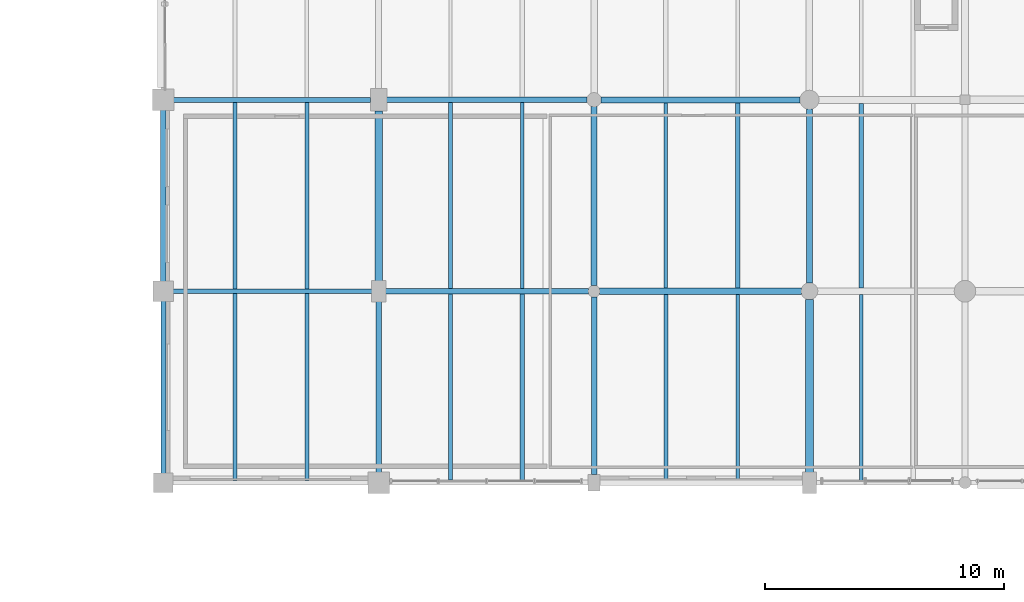
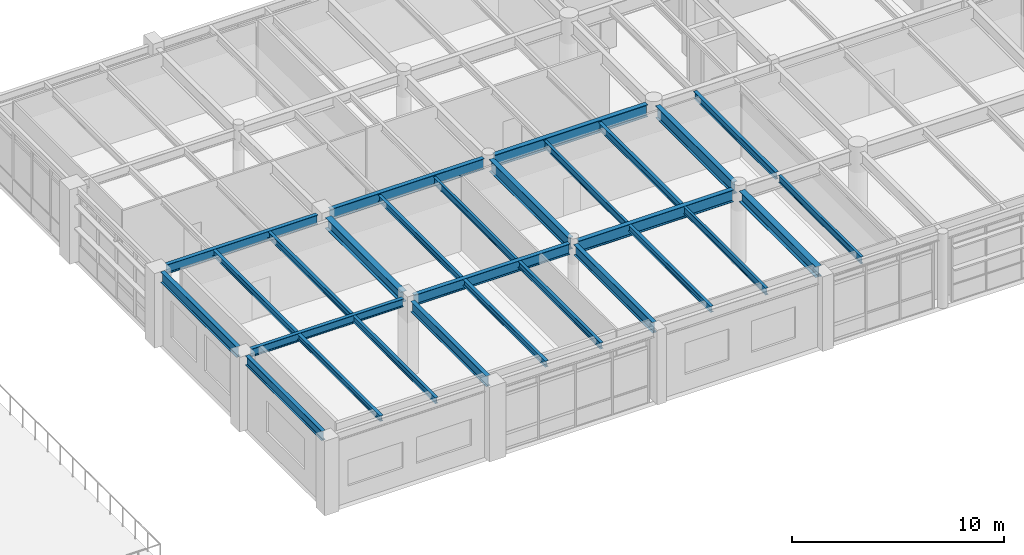
# One storey, part 86 of 168: 28 beams.
"""IFC4 building model written with IfcOpenShell, lengths in metres."""

from ifc_helpers import new_model, si_unit, direction, frame, origin, origin_2d, place, context, subcontext, project, spatial, i_section, extrude, material, material_profile, profile_set, type_object, element, save


model = new_model("IFC4")

# Units and contexts
model_context = context("Model", 3, precision=1e-05, world=origin(), true_north=direction((0.0, 1.0)))
body_context = subcontext(model_context, "Body", "Model", "MODEL_VIEW")
ifc_project = project(units=[si_unit("LENGTHUNIT", "METRE"), si_unit("AREAUNIT", "SQUARE_METRE"), si_unit("VOLUMEUNIT", "CUBIC_METRE"), si_unit("PLANEANGLEUNIT", "RADIAN"), si_unit("MASSUNIT", "GRAM", prefix="KILO"), si_unit("THERMODYNAMICTEMPERATUREUNIT", "KELVIN"), si_unit("POWERUNIT", "WATT")], contexts=[model_context])

# Site, building, storey
site_placement = place(None, origin())
site = spatial("IfcSite", under=ifc_project, at=site_placement, CompositionType="ELEMENT")
building_placement = place(site_placement, origin())
building = spatial("IfcBuilding", under=site, at=building_placement, Name="Tepalcoro Natatorium and Aquatics Centre", CompositionType="ELEMENT")
storey_placement = place(building_placement, frame((0.0, 0.0, 10.199951171875)))
storey = spatial("IfcBuildingStorey", under=building, at=storey_placement, Name="L02", CompositionType="ELEMENT", Elevation=10.199951171875)

# Beams
ifc_material = material(Name="Steel ASTM A992 Grade 50 (Fy 345 MPa)", Category="steel")
ifc_material_profile_1 = material_profile(ifc_material, i_section(OverallWidth=0.193115234375, OverallDepth=0.467041015625, WebThickness=0.010986328125, FlangeThickness=0.01904296875, FilletRadius=0.013916015625, at=origin_2d()), Name="W18X65")
ifc_profile_set_1 = profile_set([ifc_material_profile_1], Name="Steel ASTM A992 Grade 50 (Fy 345 MPa)")
beam_type_1 = type_object("IfcBeamType", Name="BM_W18x65", PredefinedType="BEAM", material=ifc_profile_set_1)
beam_1_placement = place(storey_placement, frame((98.409912109375, 94.0, 4.051513671875), z_axis=(1.0, 0.0, 0.0), x_axis=(0.0, 1.0, 0.0)))
element("IfcBeam", 1, at=beam_1_placement, inside=storey, type_object=beam_type_1, Name="V5 L02 Grid Girder X", PredefinedType="BEAM", context=body_context, shape_type="SweptSolid", body=[
    extrude(i_section(OverallWidth=0.193115234375, OverallDepth=0.467041015625, WebThickness=0.010986328125, FlangeThickness=0.01904296875, FilletRadius=0.013916015625, at=origin_2d()), origin(), (0.0, 0.0, 1.0), 8.30517578125),
])
ifc_material_profile_2 = material_profile(ifc_material, i_section(OverallWidth=0.2099609375, OverallDepth=0.532958984375, WebThickness=0.010009765625, FlangeThickness=0.01611328125, FilletRadius=0.013916015625, at=origin_2d()), Name="W21X62")
ifc_profile_set_2 = profile_set([ifc_material_profile_2], Name="Steel ASTM A992 Grade 50 (Fy 345 MPa)")
beam_type_2 = type_object("IfcBeamType", Name="BM_W21x62", PredefinedType="BEAM", material=ifc_profile_set_2)
beam_2_placement = place(storey_placement, frame((98.43505859375, 102.0, 4.0185546875), z_axis=(1.0, 0.0, 0.0), x_axis=(0.0, 1.0, 0.0)))
element("IfcBeam", 2, at=beam_2_placement, inside=storey, type_object=beam_type_2, Name="V5 L02 Grid Girder X", PredefinedType="BEAM", context=body_context, shape_type="SweptSolid", body=[
    extrude(i_section(OverallWidth=0.2099609375, OverallDepth=0.532958984375, WebThickness=0.010009765625, FlangeThickness=0.01611328125, FilletRadius=0.013916015625, at=origin_2d()), origin(), (0.0, 0.0, 1.0), 8.22998046875),
])
ifc_material_profile_3 = material_profile(ifc_material, i_section(OverallWidth=0.324951171875, OverallDepth=0.616943359375, WebThickness=0.013916015625, FlangeThickness=0.02197265625, FilletRadius=0.013916015625, at=origin_2d()), Name="W24X117")
ifc_profile_set_3 = profile_set([ifc_material_profile_3], Name="Steel ASTM A992 Grade 50 (Fy 345 MPa)")
beam_type_3 = type_object("IfcBeamType", Name="BM_W24x117", PredefinedType="BEAM", material=ifc_profile_set_3)
beam_3_placement = place(storey_placement, frame((107.0, 94.43505859375, 3.9765625), z_axis=(0.0, 1.0, 0.0), x_axis=(-1.0, 0.0, 0.0)))
element("IfcBeam", 3, at=beam_3_placement, inside=storey, type_object=beam_type_3, Name="V5 L02 Grid Girder Y", PredefinedType="BEAM", context=body_context, shape_type="SweptSolid", body=[
    extrude(i_section(OverallWidth=0.324951171875, OverallDepth=0.616943359375, WebThickness=0.013916015625, FlangeThickness=0.02197265625, FilletRadius=0.013916015625, at=origin_2d()), origin(), (0.0, 0.0, 1.0), 7.10498046875),
])
beam_4_placement = place(storey_placement, frame((125.0, 86.43505859375, 3.9765625), z_axis=(0.0, 1.0, 0.0), x_axis=(-1.0, 0.0, 0.0)))
element("IfcBeam", 4, at=beam_4_placement, inside=storey, type_object=beam_type_3, Name="V5 L02 Grid Girder Y", PredefinedType="BEAM", context=body_context, shape_type="SweptSolid", body=[
    extrude(i_section(OverallWidth=0.324951171875, OverallDepth=0.616943359375, WebThickness=0.013916015625, FlangeThickness=0.02197265625, FilletRadius=0.013916015625, at=origin_2d()), origin(), (0.0, 0.0, 1.0), 7.22998046875),
])
ifc_material_profile_4 = material_profile(ifc_material, i_section(OverallWidth=0.22802734375, OverallDepth=0.60693359375, WebThickness=0.010986328125, FlangeThickness=0.01708984375, FilletRadius=0.013916015625, at=origin_2d()), Name="W24X76")
ifc_profile_set_4 = profile_set([ifc_material_profile_4], Name="Steel ASTM A992 Grade 50 (Fy 345 MPa)")
beam_type_4 = type_object("IfcBeamType", Name="BM_W24x76", PredefinedType="BEAM", material=ifc_profile_set_4)
beam_5_placement = place(storey_placement, frame((107.284912109375, 94.0, 3.9814453125), z_axis=(1.0, 0.0, 0.0), x_axis=(0.0, 1.0, 0.0)))
element("IfcBeam", 5, at=beam_5_placement, inside=storey, type_object=beam_type_4, Name="V5 L02 Grid Girder X", PredefinedType="BEAM", context=body_context, shape_type="SweptSolid", body=[
    extrude(i_section(OverallWidth=0.22802734375, OverallDepth=0.60693359375, WebThickness=0.010986328125, FlangeThickness=0.01708984375, FilletRadius=0.013916015625, at=origin_2d()), origin(), (0.0, 0.0, 1.0), 8.47998046875),
])
beam_6_placement = place(storey_placement, frame((107.0, 86.43505859375, 3.9814453125), z_axis=(0.0, 1.0, 0.0), x_axis=(-1.0, 0.0, 0.0)))
element("IfcBeam", 6, at=beam_6_placement, inside=storey, type_object=beam_type_4, Name="V5 L02 Grid Girder Y", PredefinedType="BEAM", context=body_context, shape_type="SweptSolid", body=[
    extrude(i_section(OverallWidth=0.22802734375, OverallDepth=0.60693359375, WebThickness=0.010986328125, FlangeThickness=0.01708984375, FilletRadius=0.013916015625, at=origin_2d()), origin(), (0.0, 0.0, 1.0), 7.1298828125),
])
ifc_material_profile_5 = material_profile(ifc_material, i_section(OverallWidth=0.22998046875, OverallDepth=0.616943359375, WebThickness=0.012939453125, FlangeThickness=0.02197265625, FilletRadius=0.013916015625, at=origin_2d()), Name="W24X94")
ifc_profile_set_5 = profile_set([ifc_material_profile_5], Name="Steel ASTM A992 Grade 50 (Fy 345 MPa)")
beam_type_5 = type_object("IfcBeamType", Name="BM_W24x94", PredefinedType="BEAM", material=ifc_profile_set_5)
beam_7_placement = place(storey_placement, frame((107.3349609375, 102.0, 4.056640625), z_axis=(1.0, 0.0, 0.0), x_axis=(0.0, 1.0, 0.0)))
element("IfcBeam", 7, at=beam_7_placement, inside=storey, type_object=beam_type_5, Name="V5 L02 Grid Girder X", PredefinedType="BEAM", context=body_context, shape_type="SweptSolid", body=[
    extrude(i_section(OverallWidth=0.22998046875, OverallDepth=0.616943359375, WebThickness=0.012939453125, FlangeThickness=0.02197265625, FilletRadius=0.013916015625, at=origin_2d()), origin(), (0.0, 0.0, 1.0), 8.380126953125),
])
beam_8_placement = place(storey_placement, frame((116.0, 86.3349609375, 3.9765625), z_axis=(0.0, 1.0, 0.0), x_axis=(-1.0, 0.0, 0.0)))
element("IfcBeam", 8, at=beam_8_placement, inside=storey, type_object=beam_type_5, Name="V5 L02 Grid Girder Y", PredefinedType="BEAM", context=body_context, shape_type="SweptSolid", body=[
    extrude(i_section(OverallWidth=0.22998046875, OverallDepth=0.616943359375, WebThickness=0.012939453125, FlangeThickness=0.02197265625, FilletRadius=0.013916015625, at=origin_2d()), origin(), (0.0, 0.0, 1.0), 7.429931640625),
])
ifc_material_profile_6 = material_profile(ifc_material, i_section(OverallWidth=0.25390625, OverallDepth=0.68798828125, WebThickness=0.012939453125, FlangeThickness=0.02099609375, FilletRadius=0.013916015625, at=origin_2d()), Name="W27X102")
ifc_profile_set_6 = profile_set([ifc_material_profile_6], Name="Steel ASTM A992 Grade 50 (Fy 345 MPa)")
beam_type_6 = type_object("IfcBeamType", Name="BM_W27x102", PredefinedType="BEAM", material=ifc_profile_set_6)
beam_9_placement = place(storey_placement, frame((116.235107421875, 94.0, 3.941162109375), z_axis=(1.0, 0.0, 0.0), x_axis=(0.0, 1.0, 0.0)))
element("IfcBeam", 9, at=beam_9_placement, inside=storey, type_object=beam_type_6, Name="V5 L02 Grid Girder X", PredefinedType="BEAM", context=body_context, shape_type="SweptSolid", body=[
    extrude(i_section(OverallWidth=0.25390625, OverallDepth=0.68798828125, WebThickness=0.012939453125, FlangeThickness=0.02099609375, FilletRadius=0.013916015625, at=origin_2d()), origin(), (0.0, 0.0, 1.0), 8.429931640625),
])
beam_10_placement = place(storey_placement, frame((116.0, 94.235107421875, 4.02099609375), z_axis=(0.0, 1.0, 0.0), x_axis=(-1.0, 0.0, 0.0)))
element("IfcBeam", 10, at=beam_10_placement, inside=storey, type_object=beam_type_6, Name="V5 L02 Grid Girder Y", PredefinedType="BEAM", context=body_context, shape_type="SweptSolid", body=[
    extrude(i_section(OverallWidth=0.25390625, OverallDepth=0.68798828125, WebThickness=0.012939453125, FlangeThickness=0.02099609375, FilletRadius=0.013916015625, at=origin_2d()), origin(), (0.0, 0.0, 1.0), 7.47998046875),
])
ifc_material_profile_7 = material_profile(ifc_material, i_section(OverallWidth=0.25390625, OverallDepth=0.700927734375, WebThickness=0.014892578125, FlangeThickness=0.028076171875, FilletRadius=0.013916015625, at=origin_2d()), Name="W27X129")
ifc_profile_set_7 = profile_set([ifc_material_profile_7], Name="Steel ASTM A992 Grade 50 (Fy 345 MPa)")
beam_type_7 = type_object("IfcBeamType", Name="BM_W27x129", PredefinedType="BEAM", material=ifc_profile_set_7)
beam_11_placement = place(storey_placement, frame((116.284912109375, 102.0, 4.0146484375), z_axis=(1.0, 0.0, 0.0), x_axis=(0.0, 1.0, 0.0)))
element("IfcBeam", 11, at=beam_11_placement, inside=storey, type_object=beam_type_7, Name="V5 L02 Grid Girder X", PredefinedType="BEAM", context=body_context, shape_type="SweptSolid", body=[
    extrude(i_section(OverallWidth=0.25390625, OverallDepth=0.700927734375, WebThickness=0.014892578125, FlangeThickness=0.028076171875, FilletRadius=0.013916015625, at=origin_2d()), origin(), (0.0, 0.0, 1.0), 8.330078125),
])
beam_12_placement = place(storey_placement, frame((125.0, 94.3349609375, 4.0146484375), z_axis=(0.0, 1.0, 0.0), x_axis=(-1.0, 0.0, 0.0)))
element("IfcBeam", 12, at=beam_12_placement, inside=storey, type_object=beam_type_7, Name="V5 L02 Grid Girder Y", PredefinedType="BEAM", context=body_context, shape_type="SweptSolid", body=[
    extrude(i_section(OverallWidth=0.25390625, OverallDepth=0.700927734375, WebThickness=0.014892578125, FlangeThickness=0.028076171875, FilletRadius=0.013916015625, at=origin_2d()), origin(), (0.0, 0.0, 1.0), 7.280029296875),
])
ifc_material_profile_8 = material_profile(ifc_material, i_section(OverallWidth=0.1669921875, OverallDepth=0.318115234375, WebThickness=0.008056640625, FlangeThickness=0.012939453125, FilletRadius=0.013916015625, at=origin_2d()), Name="W12X35")
ifc_profile_set_8 = profile_set([ifc_material_profile_8], Name="Steel ASTM A992 Grade 50 (Fy 345 MPa)")
beam_type_8 = type_object("IfcBeamType", Name="JS_W12x35", PredefinedType="JOIST", material=ifc_profile_set_8)
beam_13_placement = place(storey_placement, frame((101.0, 86.095458984375, 4.1259765625), z_axis=(0.0, 1.0, 0.0), x_axis=(-1.0, 0.0, 0.0)))
element("IfcBeam", 13, at=beam_13_placement, inside=storey, type_object=beam_type_8, Name="V5 L02 Floor Joist", PredefinedType="JOIST", context=body_context, shape_type="SweptSolid", body=[
    extrude(i_section(OverallWidth=0.1669921875, OverallDepth=0.318115234375, WebThickness=0.008056640625, FlangeThickness=0.012939453125, FilletRadius=0.013916015625, at=origin_2d()), origin(), (0.0, 0.0, 1.0), 7.80810546875),
])
ifc_material_profile_9 = material_profile(ifc_material, i_section(OverallWidth=0.1708984375, OverallDepth=0.35107421875, WebThickness=0.007080078125, FlangeThickness=0.010009765625, FilletRadius=0.013916015625, at=origin_2d()), Name="W14X30")
ifc_profile_set_9 = profile_set([ifc_material_profile_9], Name="Steel ASTM A992 Grade 50 (Fy 345 MPa)")
beam_type_9 = type_object("IfcBeamType", Name="JS_W14x30", PredefinedType="JOIST", material=ifc_profile_set_9)
beam_14_placement = place(storey_placement, frame((104.0, 86.095458984375, 4.109619140625), z_axis=(0.0, 1.0, 0.0), x_axis=(-1.0, 0.0, 0.0)))
element("IfcBeam", 14, at=beam_14_placement, inside=storey, type_object=beam_type_9, Name="V5 L02 Floor Joist", PredefinedType="JOIST", context=body_context, shape_type="SweptSolid", body=[
    extrude(i_section(OverallWidth=0.1708984375, OverallDepth=0.35107421875, WebThickness=0.007080078125, FlangeThickness=0.010009765625, FilletRadius=0.013916015625, at=origin_2d()), origin(), (0.0, 0.0, 1.0), 7.80810546875),
])
beam_15_placement = place(storey_placement, frame((101.0, 94.096435546875, 4.109619140625), z_axis=(0.0, 1.0, 0.0), x_axis=(-1.0, 0.0, 0.0)))
element("IfcBeam", 15, at=beam_15_placement, inside=storey, type_object=beam_type_9, Name="V5 L02 Floor Joist", PredefinedType="JOIST", context=body_context, shape_type="SweptSolid", body=[
    extrude(i_section(OverallWidth=0.1708984375, OverallDepth=0.35107421875, WebThickness=0.007080078125, FlangeThickness=0.010009765625, FilletRadius=0.013916015625, at=origin_2d()), origin(), (0.0, 0.0, 1.0), 7.798583984375),
])
beam_16_placement = place(storey_placement, frame((110.0, 86.10498046875, 4.109619140625), z_axis=(0.0, 1.0, 0.0), x_axis=(-1.0, 0.0, 0.0)))
element("IfcBeam", 16, at=beam_16_placement, inside=storey, type_object=beam_type_9, Name="V5 L02 Floor Joist", PredefinedType="JOIST", context=body_context, shape_type="SweptSolid", body=[
    extrude(i_section(OverallWidth=0.1708984375, OverallDepth=0.35107421875, WebThickness=0.007080078125, FlangeThickness=0.010009765625, FilletRadius=0.013916015625, at=origin_2d()), origin(), (0.0, 0.0, 1.0), 7.781005859375),
])
ifc_material_profile_10 = material_profile(ifc_material, i_section(OverallWidth=0.172119140625, OverallDepth=0.35791015625, WebThickness=0.008056640625, FlangeThickness=0.012939453125, FilletRadius=0.013916015625, at=origin_2d()), Name="W14X38")
ifc_profile_set_10 = profile_set([ifc_material_profile_10], Name="Steel ASTM A992 Grade 50 (Fy 345 MPa)")
beam_type_10 = type_object("IfcBeamType", Name="JS_W14x38", PredefinedType="JOIST", material=ifc_profile_set_10)
beam_17_placement = place(storey_placement, frame((104.0, 94.096435546875, 4.10595703125), z_axis=(0.0, 1.0, 0.0), x_axis=(-1.0, 0.0, 0.0)))
element("IfcBeam", 17, at=beam_17_placement, inside=storey, type_object=beam_type_10, Name="V5 L02 Floor Joist", PredefinedType="JOIST", context=body_context, shape_type="SweptSolid", body=[
    extrude(i_section(OverallWidth=0.172119140625, OverallDepth=0.35791015625, WebThickness=0.008056640625, FlangeThickness=0.012939453125, FilletRadius=0.013916015625, at=origin_2d()), origin(), (0.0, 0.0, 1.0), 7.798583984375),
])
beam_18_placement = place(storey_placement, frame((113.0, 86.10498046875, 4.10595703125), z_axis=(0.0, 1.0, 0.0), x_axis=(-1.0, 0.0, 0.0)))
element("IfcBeam", 18, at=beam_18_placement, inside=storey, type_object=beam_type_10, Name="V5 L02 Floor Joist", PredefinedType="JOIST", context=body_context, shape_type="SweptSolid", body=[
    extrude(i_section(OverallWidth=0.172119140625, OverallDepth=0.35791015625, WebThickness=0.008056640625, FlangeThickness=0.012939453125, FilletRadius=0.013916015625, at=origin_2d()), origin(), (0.0, 0.0, 1.0), 7.781005859375),
])
beam_19_placement = place(storey_placement, frame((110.0, 94.114013671875, 4.10595703125), z_axis=(0.0, 1.0, 0.0), x_axis=(-1.0, 0.0, 0.0)))
element("IfcBeam", 19, at=beam_19_placement, inside=storey, type_object=beam_type_10, Name="V5 L02 Floor Joist", PredefinedType="JOIST", context=body_context, shape_type="SweptSolid", body=[
    extrude(i_section(OverallWidth=0.172119140625, OverallDepth=0.35791015625, WebThickness=0.008056640625, FlangeThickness=0.012939453125, FilletRadius=0.013916015625, at=origin_2d()), origin(), (0.0, 0.0, 1.0), 7.77099609375),
])
beam_20_placement = place(storey_placement, frame((119.0, 86.114501953125, 4.10595703125), z_axis=(0.0, 1.0, 0.0), x_axis=(-1.0, 0.0, 0.0)))
element("IfcBeam", 20, at=beam_20_placement, inside=storey, type_object=beam_type_10, Name="V5 L02 Floor Joist", PredefinedType="JOIST", context=body_context, shape_type="SweptSolid", body=[
    extrude(i_section(OverallWidth=0.172119140625, OverallDepth=0.35791015625, WebThickness=0.008056640625, FlangeThickness=0.012939453125, FilletRadius=0.013916015625, at=origin_2d()), origin(), (0.0, 0.0, 1.0), 7.758544921875),
])
ifc_material_profile_11 = material_profile(ifc_material, i_section(OverallWidth=0.139892578125, OverallDepth=0.404052734375, WebThickness=0.007080078125, FlangeThickness=0.010986328125, FilletRadius=0.013916015625, at=origin_2d()), Name="W16X31")
ifc_profile_set_11 = profile_set([ifc_material_profile_11], Name="Steel ASTM A992 Grade 50 (Fy 345 MPa)")
beam_type_11 = type_object("IfcBeamType", Name="JS_W16x31", PredefinedType="JOIST", material=ifc_profile_set_11)
beam_21_placement = place(storey_placement, frame((113.0, 94.114013671875, 4.0830078125), z_axis=(0.0, 1.0, 0.0), x_axis=(-1.0, 0.0, 0.0)))
element("IfcBeam", 21, at=beam_21_placement, inside=storey, type_object=beam_type_11, Name="V5 L02 Floor Joist", PredefinedType="JOIST", context=body_context, shape_type="SweptSolid", body=[
    extrude(i_section(OverallWidth=0.139892578125, OverallDepth=0.404052734375, WebThickness=0.007080078125, FlangeThickness=0.010986328125, FilletRadius=0.013916015625, at=origin_2d()), origin(), (0.0, 0.0, 1.0), 7.77099609375),
])
beam_22_placement = place(storey_placement, frame((122.0, 86.114501953125, 4.0830078125), z_axis=(0.0, 1.0, 0.0), x_axis=(-1.0, 0.0, 0.0)))
element("IfcBeam", 22, at=beam_22_placement, inside=storey, type_object=beam_type_11, Name="V5 L02 Floor Joist", PredefinedType="JOIST", context=body_context, shape_type="SweptSolid", body=[
    extrude(i_section(OverallWidth=0.139892578125, OverallDepth=0.404052734375, WebThickness=0.007080078125, FlangeThickness=0.010986328125, FilletRadius=0.013916015625, at=origin_2d()), origin(), (0.0, 0.0, 1.0), 7.758544921875),
])
beam_23_placement = place(storey_placement, frame((119.0, 94.126953125, 4.0830078125), z_axis=(0.0, 1.0, 0.0), x_axis=(-1.0, 0.0, 0.0)))
element("IfcBeam", 23, at=beam_23_placement, inside=storey, type_object=beam_type_11, Name="V5 L02 Floor Joist", PredefinedType="JOIST", context=body_context, shape_type="SweptSolid", body=[
    extrude(i_section(OverallWidth=0.139892578125, OverallDepth=0.404052734375, WebThickness=0.007080078125, FlangeThickness=0.010986328125, FilletRadius=0.013916015625, at=origin_2d()), origin(), (0.0, 0.0, 1.0), 7.74609375),
])
beam_24_placement = place(storey_placement, frame((127.166748046875, 86.090087890625, 4.0830078125), z_axis=(0.0, 1.0, 0.0), x_axis=(-1.0, 0.0, 0.0)))
element("IfcBeam", 24, at=beam_24_placement, inside=storey, type_object=beam_type_11, Name="V5 L02 Floor Joist", PredefinedType="JOIST", context=body_context, shape_type="SweptSolid", body=[
    extrude(i_section(OverallWidth=0.139892578125, OverallDepth=0.404052734375, WebThickness=0.007080078125, FlangeThickness=0.010986328125, FilletRadius=0.013916015625, at=origin_2d()), origin(), (0.0, 0.0, 1.0), 7.7763671875),
])
ifc_material_profile_12 = material_profile(ifc_material, i_section(OverallWidth=0.178955078125, OverallDepth=0.409912109375, WebThickness=0.009033203125, FlangeThickness=0.013916015625, FilletRadius=0.013916015625, at=origin_2d()), Name="W16X45")
ifc_profile_set_12 = profile_set([ifc_material_profile_12], Name="Steel ASTM A992 Grade 50 (Fy 345 MPa)")
beam_type_12 = type_object("IfcBeamType", Name="JS_W16x45", PredefinedType="JOIST", material=ifc_profile_set_12)
beam_25_placement = place(storey_placement, frame((122.0, 94.126953125, 4.080078125), z_axis=(0.0, 1.0, 0.0), x_axis=(-1.0, 0.0, 0.0)))
element("IfcBeam", 25, at=beam_25_placement, inside=storey, type_object=beam_type_12, Name="V5 L02 Floor Joist", PredefinedType="JOIST", context=body_context, shape_type="SweptSolid", body=[
    extrude(i_section(OverallWidth=0.178955078125, OverallDepth=0.409912109375, WebThickness=0.009033203125, FlangeThickness=0.013916015625, FilletRadius=0.013916015625, at=origin_2d()), origin(), (0.0, 0.0, 1.0), 7.74609375),
])
beam_26_placement = place(storey_placement, frame((127.166748046875, 94.133544921875, 4.080078125), z_axis=(0.0, 1.0, 0.0), x_axis=(-1.0, 0.0, 0.0)))
element("IfcBeam", 26, at=beam_26_placement, inside=storey, type_object=beam_type_12, Name="V5 L02 Floor Joist", PredefinedType="JOIST", context=body_context, shape_type="SweptSolid", body=[
    extrude(i_section(OverallWidth=0.178955078125, OverallDepth=0.409912109375, WebThickness=0.009033203125, FlangeThickness=0.013916015625, FilletRadius=0.013916015625, at=origin_2d()), origin(), (0.0, 0.0, 1.0), 7.720458984375),
])
ifc_material_profile_13 = material_profile(ifc_material, i_section(OverallWidth=0.2099609375, OverallDepth=0.535888671875, WebThickness=0.010986328125, FlangeThickness=0.01708984375, FilletRadius=0.013916015625, at=origin_2d()), Name="W21X68")
ifc_profile_set_13 = profile_set([ifc_material_profile_13], Name="Steel ASTM A992 Grade 50 (Fy 345 MPa)")
beam_type_13 = type_object("IfcBeamType", Name="SP_W21x68", PredefinedType="SPANDREL", material=ifc_profile_set_13)
beam_27_placement = place(storey_placement, frame((98.0, 86.385009765625, 4.01708984375), z_axis=(0.0, 1.0, 0.0), x_axis=(-1.0, 0.0, 0.0)))
element("IfcBeam", 27, at=beam_27_placement, inside=storey, type_object=beam_type_13, Name="V5 L02 Grid Girder Y", PredefinedType="SPANDREL", context=body_context, shape_type="SweptSolid", body=[
    extrude(i_section(OverallWidth=0.2099609375, OverallDepth=0.535888671875, WebThickness=0.010986328125, FlangeThickness=0.01708984375, FilletRadius=0.013916015625, at=origin_2d()), origin(), (0.0, 0.0, 1.0), 7.205078125),
])
ifc_material_profile_14 = material_profile(ifc_material, i_section(OverallWidth=0.22900390625, OverallDepth=0.612060546875, WebThickness=0.011962890625, FlangeThickness=0.02001953125, FilletRadius=0.013916015625, at=origin_2d()), Name="W24X84")
ifc_profile_set_14 = profile_set([ifc_material_profile_14], Name="Steel ASTM A992 Grade 50 (Fy 345 MPa)")
beam_type_14 = type_object("IfcBeamType", Name="SP_W24x84", PredefinedType="SPANDREL", material=ifc_profile_set_14)
beam_28_placement = place(storey_placement, frame((98.0, 94.409912109375, 3.97900390625), z_axis=(0.0, 1.0, 0.0), x_axis=(-1.0, 0.0, 0.0)))
element("IfcBeam", 28, at=beam_28_placement, inside=storey, type_object=beam_type_14, Name="V5 L02 Grid Girder Y", PredefinedType="SPANDREL", context=body_context, shape_type="SweptSolid", body=[
    extrude(i_section(OverallWidth=0.22900390625, OverallDepth=0.612060546875, WebThickness=0.011962890625, FlangeThickness=0.02001953125, FilletRadius=0.013916015625, at=origin_2d()), origin(), (0.0, 0.0, 1.0), 7.155029296875),
])

save(model, "model.ifc")
